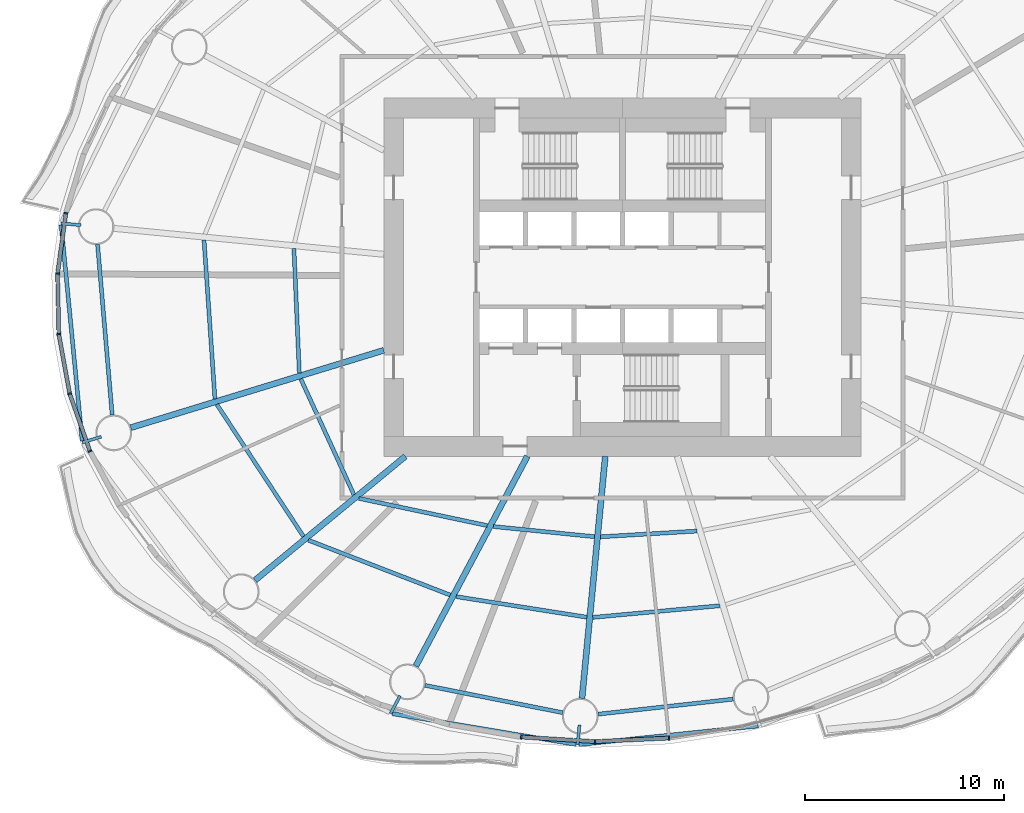
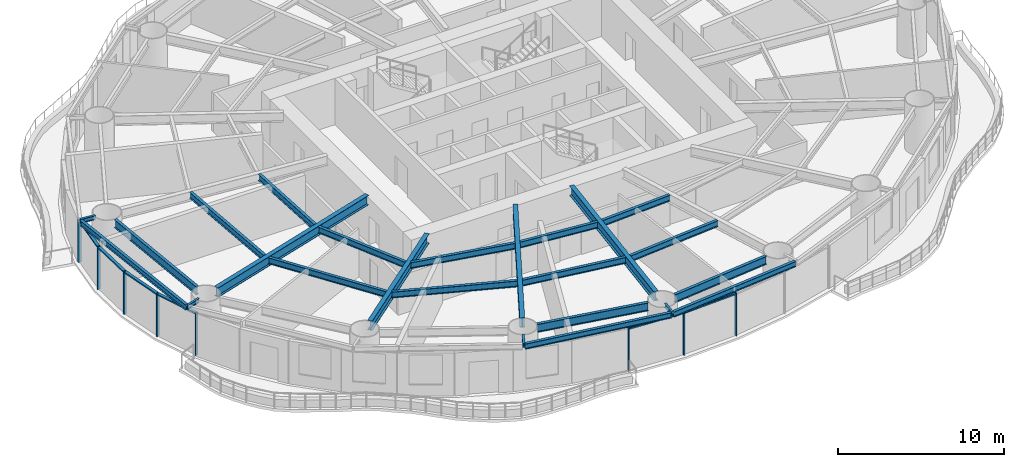
# One storey, part 2 of 16: 24 beams, 14 members, 7 elements without a shape of their own.
"""IFC4 building model written with IfcOpenShell, lengths in metres."""

from ifc_helpers import new_model, si_unit, direction, frame, origin, origin_2d, place, context, subcontext, project, spatial, rectangle, i_section, extrude, material, material_profile, profile_set, type_object, element, aggregate, save


model = new_model("IFC4")

# Units and contexts
model_context = context("Model", 3, precision=1e-05, world=origin(), true_north=direction((0.0, 1.0)))
body_context = subcontext(model_context, "Body", "Model", "MODEL_VIEW")
ifc_project = project(units=[si_unit("LENGTHUNIT", "METRE"), si_unit("AREAUNIT", "SQUARE_METRE"), si_unit("VOLUMEUNIT", "CUBIC_METRE"), si_unit("PLANEANGLEUNIT", "RADIAN"), si_unit("MASSUNIT", "GRAM", prefix="KILO")], contexts=[model_context])

# Site, building, storey
site_placement = place(None, origin())
site = spatial("IfcSite", under=ifc_project, at=site_placement, CompositionType="ELEMENT")
building_placement = place(site_placement, origin())
building = spatial("IfcBuilding", under=site, at=building_placement, Name="Vermilion Reach Broadcast Tower", CompositionType="ELEMENT")
storey_placement = place(building_placement, frame((0.0, 0.0, 58.199951171875)))
storey = spatial("IfcBuildingStorey", under=building, at=storey_placement, Name="L11", CompositionType="ELEMENT", Elevation=58.199951171875)

# Beams
ifc_material_1 = material(Name="Steel S355J2", Category="steel")
ifc_material_profile_1 = material_profile(ifc_material_1, i_section(OverallWidth=0.199951171875, OverallDepth=0.39990234375, WebThickness=0.008056640625, FlangeThickness=0.012939453125, at=origin_2d()), Name="S355J2 HN 400x200x8x13")
ifc_profile_set_1 = profile_set([ifc_material_profile_1], Name="Steel S355J2")
beam_type_1 = type_object("IfcBeamType", Name="EB1 HN 400x200x8x13", PredefinedType="BEAM", material=ifc_profile_set_1)
beam_1_placement = place(storey_placement, frame((-34.21826171875, 2.63671875, 3.35009765625), z_axis=(0.096862266067, -0.995297795342, 0.0), x_axis=(0.995297795342, 0.096862266067, 0.0)))
element("IfcBeam", 1, at=beam_1_placement, inside=storey, type_object=beam_type_1, Name="Edge beam EB1-08", PredefinedType="BEAM", context=body_context, shape_type="SweptSolid", body=[
    extrude(i_section(OverallWidth=0.199951171875, OverallDepth=0.39990234375, WebThickness=0.008056640625, FlangeThickness=0.012939453125, at=origin_2d()), origin(), (0.0, 0.0, 1.0), 10.918701171875),
])
beam_2_placement = place(storey_placement, frame((-17.57470703125, -21.937744140625, 3.35009765625), z_axis=(0.986264056428, -0.165176302772, 0.0), x_axis=(0.165176302772, 0.986264056428, 0.0)))
element("IfcBeam", 2, at=beam_2_placement, inside=storey, type_object=beam_type_1, Name="Edge beam EB1-11", PredefinedType="BEAM", context=body_context, shape_type="SweptSolid", body=[
    extrude(i_section(OverallWidth=0.199951171875, OverallDepth=0.39990234375, WebThickness=0.008056640625, FlangeThickness=0.012939453125, at=origin_2d()), origin(), (0.0, 0.0, 1.0), 9.370849609375),
])
beam_3_placement = place(storey_placement, frame((-8.182373046875, -23.489990234375, 3.35009765625), z_axis=(0.994653842514, 0.103265355142, 0.0), x_axis=(-0.103265355142, 0.994653842514, 0.0)))
element("IfcBeam", 3, at=beam_3_placement, inside=storey, type_object=beam_type_1, Name="Edge beam EB1-12", PredefinedType="BEAM", context=body_context, shape_type="SweptSolid", body=[
    extrude(i_section(OverallWidth=0.199951171875, OverallDepth=0.39990234375, WebThickness=0.008056640625, FlangeThickness=0.012939453125, at=origin_2d()), origin(), (0.0, 0.0, 1.0), 9.052490234375),
])
ifc_material_2 = material(Name="Steel S355J2", Category="steel")
ifc_material_profile_2 = material_profile(ifc_material_2, i_section(OverallWidth=0.300048828125, OverallDepth=0.699951171875, WebThickness=0.012939453125, FlangeThickness=0.02392578125, at=origin_2d()), Name="S355J2 HN 700x300x13x24")
ifc_profile_set_2 = profile_set([ifc_material_profile_2], Name="Steel S355J2")
beam_type_2 = type_object("IfcBeamType", Name="G1 HN 700x300x13x24", PredefinedType="BEAM", material=ifc_profile_set_2)
beam_4_placement = place(storey_placement, frame((-18.0, -3.671142578125, 3.199951171875), z_axis=(-0.956255735186, -0.292531996409, 0.0), x_axis=(0.292531996409, -0.956255735186, 0.0)))
element("IfcBeam", 4, at=beam_4_placement, inside=storey, type_object=beam_type_2, Name="Girder G1-09", PredefinedType="BEAM", context=body_context, shape_type="SweptSolid", body=[
    extrude(i_section(OverallWidth=0.300048828125, OverallDepth=0.699951171875, WebThickness=0.012939453125, FlangeThickness=0.02392578125, at=origin_2d()), origin(), (0.0, 0.0, 1.0), 13.29638671875),
])
beam_5_placement = place(storey_placement, frame((-16.9140625, -9.0, 3.199951171875), z_axis=(-0.771514256373, -0.636212034005, 0.0), x_axis=(0.636212034005, -0.771514256373, 0.0)))
element("IfcBeam", 5, at=beam_5_placement, inside=storey, type_object=beam_type_2, Name="Girder G1-10", PredefinedType="BEAM", context=body_context, shape_type="SweptSolid", body=[
    extrude(i_section(OverallWidth=0.300048828125, OverallDepth=0.699951171875, WebThickness=0.012939453125, FlangeThickness=0.02392578125, at=origin_2d()), origin(), (0.0, 0.0, 1.0), 9.796142578125),
])
beam_6_placement = place(storey_placement, frame((-10.783447265625, -9.0, 3.199951171875), z_axis=(-0.469312182262, -0.883032318537, 0.0), x_axis=(0.883032318537, -0.469312182262, 0.0)))
element("IfcBeam", 6, at=beam_6_placement, inside=storey, type_object=beam_type_2, Name="Girder G1-11", PredefinedType="BEAM", context=body_context, shape_type="SweptSolid", body=[
    extrude(i_section(OverallWidth=0.300048828125, OverallDepth=0.699951171875, WebThickness=0.012939453125, FlangeThickness=0.02392578125, at=origin_2d()), origin(), (0.0, 0.0, 1.0), 11.94091796875),
])
beam_7_placement = place(storey_placement, frame((-6.864990234375, -9.0, 3.199951171875), z_axis=(-0.09566673912, -0.995413419151, 0.0), x_axis=(0.995413419151, -0.09566673912, 0.0)))
element("IfcBeam", 7, at=beam_7_placement, inside=storey, type_object=beam_type_2, Name="Girder G1-12", PredefinedType="BEAM", context=body_context, shape_type="SweptSolid", body=[
    extrude(i_section(OverallWidth=0.300048828125, OverallDepth=0.699951171875, WebThickness=0.012939453125, FlangeThickness=0.02392578125, at=origin_2d()), origin(), (0.0, 0.0, 1.0), 12.22412109375),
])
ifc_material_3 = material(Name="Steel S355J2", Category="steel")
ifc_material_profile_3 = material_profile(ifc_material_3, i_section(OverallWidth=0.14990234375, OverallDepth=0.300048828125, WebThickness=0.006591796875, FlangeThickness=0.009033203125, at=origin_2d()), Name="S355J2 HN 300x150x6.5x9")
ifc_profile_set_3 = profile_set([ifc_material_profile_3], Name="Steel S355J2")
beam_type_3 = type_object("IfcBeamType", Name="GS1 HN 300x150x6.5x9", PredefinedType="BEAM", material=ifc_profile_set_3)
for number, where, z_axis, x_axis, name in (
    (8, (-33.230224609375, 2.6171875, 3.400146484375), (-0.995409476419, 0.095707754417, 0.0), (-0.095707754417, -0.995409476419, 0.0), "Cantilever stub GS1-08"),
    (9, (-32.197021484375, -8.01416015625, 3.400146484375), (-0.95627383467, -0.292472824594, 0.0), (0.292472824594, -0.95627383467, 0.0), "Cantilever stub GS1-09"),
    (10, (-17.183349609375, -21.041748046875, 3.400146484375), (-0.469244476458, -0.883068299348, 0.0), (0.883068299348, -0.469244476458, 0.0), "Cantilever stub GS1-11"),
    (11, (-8.162841796875, -22.502685546875, 3.400146484375), (-0.095707754417, -0.995409476419, 0.0), (0.995409476419, -0.095707754417, 0.0), "Cantilever stub GS1-12"),
):
    element("IfcBeam", number, at=place(storey_placement, frame(where, z_axis=z_axis, x_axis=x_axis)), inside=storey, type_object=beam_type_3, Name=name, PredefinedType="BEAM", context=body_context, shape_type="SweptSolid", body=[
        extrude(i_section(OverallWidth=0.14990234375, OverallDepth=0.300048828125, WebThickness=0.006591796875, FlangeThickness=0.009033203125, at=origin_2d()), origin(), (0.0, 0.0, 1.0), 1.0),
    ])
ifc_material_4 = material(Name="Steel S355J2", Category="steel")
ifc_material_profile_4 = material_profile(ifc_material_4, i_section(OverallWidth=0.199951171875, OverallDepth=0.60009765625, WebThickness=0.010986328125, FlangeThickness=0.01708984375, at=origin_2d()), Name="S355J2 HN 600x200x11x17")
ifc_profile_set_4 = profile_set([ifc_material_profile_4], Name="Steel S355J2")
beam_type_4 = type_object("IfcBeamType", Name="RB1 HN 600x200x11x17", PredefinedType="BEAM", material=ifc_profile_set_4)
beam_8_placement = place(storey_placement, frame((-32.38720703125, 1.646728515625, 3.25), z_axis=(0.085395508608, -0.996347131832, 0.0), x_axis=(0.996347131832, 0.085395508608, 0.0)))
element("IfcBeam", 12, at=beam_8_placement, inside=storey, type_object=beam_type_4, Name="Ring beam RB1-08", PredefinedType="BEAM", context=body_context, shape_type="SweptSolid", body=[
    extrude(i_section(OverallWidth=0.199951171875, OverallDepth=0.60009765625, WebThickness=0.010986328125, FlangeThickness=0.01708984375, at=origin_2d()), origin(), (0.0, 0.0, 1.0), 8.60546875),
])
beam_9_placement = place(storey_placement, frame((-15.927001953125, -20.51416015625, 3.25), z_axis=(0.980857717995, -0.194725799651, 0.0), x_axis=(0.194725799651, 0.980857717995, 0.0)))
element("IfcBeam", 13, at=beam_9_placement, inside=storey, type_object=beam_type_4, Name="Ring beam RB1-11", PredefinedType="BEAM", context=body_context, shape_type="SweptSolid", body=[
    extrude(i_section(OverallWidth=0.199951171875, OverallDepth=0.60009765625, WebThickness=0.010986328125, FlangeThickness=0.01708984375, at=origin_2d()), origin(), (0.0, 0.0, 1.0), 7.05859375),
])
beam_10_placement = place(storey_placement, frame((-7.22607421875, -21.964111328125, 3.25), z_axis=(0.993851439324, 0.110721798009, 0.0), x_axis=(-0.110721798009, 0.993851439324, 0.0)))
element("IfcBeam", 14, at=beam_10_placement, inside=storey, type_object=beam_type_4, Name="Ring beam RB1-12", PredefinedType="BEAM", context=body_context, shape_type="SweptSolid", body=[
    extrude(i_section(OverallWidth=0.199951171875, OverallDepth=0.60009765625, WebThickness=0.010986328125, FlangeThickness=0.01708984375, at=origin_2d()), origin(), (0.0, 0.0, 1.0), 6.8310546875),
])
ifc_material_5 = material(Name="Steel S355J2", Category="steel")
ifc_material_profile_5 = material_profile(ifc_material_5, i_section(OverallWidth=0.199951171875, OverallDepth=0.449951171875, WebThickness=0.009033203125, FlangeThickness=0.013916015625, at=origin_2d()), Name="S355J2 HN 450x200x9x14")
ifc_profile_set_5 = profile_set([ifc_material_profile_5], Name="Steel S355J2")
beam_type_5 = type_object("IfcBeamType", Name="SB1 HN 450x200x9x14", PredefinedType="BEAM", material=ifc_profile_set_5)
beam_11_placement = place(storey_placement, frame((-22.51611328125, 1.436767578125, 3.324951171875), z_axis=(0.043361007512, -0.999059469215, 0.0), x_axis=(0.999059469215, 0.043361007512, 0.0)))
element("IfcBeam", 15, at=beam_11_placement, inside=storey, type_object=beam_type_5, Name="Secondary beam SB1-08-1", PredefinedType="BEAM", context=body_context, shape_type="SweptSolid", body=[
    extrude(i_section(OverallWidth=0.199951171875, OverallDepth=0.449951171875, WebThickness=0.009033203125, FlangeThickness=0.013916015625, at=origin_2d()), origin(), (0.0, 0.0, 1.0), 6.25537109375),
])
beam_12_placement = place(storey_placement, frame((-27.03515625, 1.87109375, 3.324951171875), z_axis=(0.068507801475, -0.997650580683, 0.0), x_axis=(0.997650580683, 0.068507801475, 0.0)))
element("IfcBeam", 16, at=beam_12_placement, inside=storey, type_object=beam_type_5, Name="Secondary beam SB1-08-2", PredefinedType="BEAM", context=body_context, shape_type="SweptSolid", body=[
    extrude(i_section(OverallWidth=0.199951171875, OverallDepth=0.449951171875, WebThickness=0.009033203125, FlangeThickness=0.013916015625, at=origin_2d()), origin(), (0.0, 0.0, 1.0), 8.00048828125),
])
beam_13_placement = place(storey_placement, frame((-22.175048828125, -5.105224609375, 3.324951171875), z_axis=(0.417211452529, -0.908809443106, 0.0), x_axis=(0.908809443106, 0.417211452529, 0.0)))
element("IfcBeam", 17, at=beam_13_placement, inside=storey, type_object=beam_type_5, Name="Secondary beam SB1-09-1", PredefinedType="BEAM", context=body_context, shape_type="SweptSolid", body=[
    extrude(i_section(OverallWidth=0.199951171875, OverallDepth=0.449951171875, WebThickness=0.009033203125, FlangeThickness=0.013916015625, at=origin_2d()), origin(), (0.0, 0.0, 1.0), 6.41650390625),
])
beam_14_placement = place(storey_placement, frame((-26.390625, -6.394775390625, 3.324951171875), z_axis=(0.548800909102, -0.835953086105, 0.0), x_axis=(0.835953086105, 0.548800909102, 0.0)))
element("IfcBeam", 18, at=beam_14_placement, inside=storey, type_object=beam_type_5, Name="Secondary beam SB1-09-2", PredefinedType="BEAM", context=body_context, shape_type="SweptSolid", body=[
    extrude(i_section(OverallWidth=0.199951171875, OverallDepth=0.449951171875, WebThickness=0.009033203125, FlangeThickness=0.013916015625, at=origin_2d()), origin(), (0.0, 0.0, 1.0), 7.935791015625),
])
beam_15_placement = place(storey_placement, frame((-19.24560546875, -11.1171875, 3.324951171875), z_axis=(0.978270372412, -0.207333254596, 0.0), x_axis=(0.207333254596, 0.978270372412, 0.0)))
element("IfcBeam", 19, at=beam_15_placement, inside=storey, type_object=beam_type_5, Name="Secondary beam SB1-10-1", PredefinedType="BEAM", context=body_context, shape_type="SweptSolid", body=[
    extrude(i_section(OverallWidth=0.199951171875, OverallDepth=0.449951171875, WebThickness=0.009033203125, FlangeThickness=0.013916015625, at=origin_2d()), origin(), (0.0, 0.0, 1.0), 6.584716796875),
])
beam_16_placement = place(storey_placement, frame((-21.7919921875, -13.217041015625, 3.324951171875), z_axis=(0.932680743753, -0.360702966765, 0.0), x_axis=(0.360702966765, 0.932680743753, 0.0)))
element("IfcBeam", 20, at=beam_16_placement, inside=storey, type_object=beam_type_5, Name="Secondary beam SB1-10-2", PredefinedType="BEAM", context=body_context, shape_type="SweptSolid", body=[
    extrude(i_section(OverallWidth=0.199951171875, OverallDepth=0.449951171875, WebThickness=0.009033203125, FlangeThickness=0.013916015625, at=origin_2d()), origin(), (0.0, 0.0, 1.0), 7.646240234375),
])
beam_17_placement = place(storey_placement, frame((-12.490234375, -12.531005859375, 3.324951171875), z_axis=(0.995010199331, -0.099773259079, 0.0), x_axis=(0.099773259079, 0.995010199331, 0.0)))
element("IfcBeam", 21, at=beam_17_placement, inside=storey, type_object=beam_type_5, Name="Secondary beam SB1-11-1", PredefinedType="BEAM", context=body_context, shape_type="SweptSolid", body=[
    extrude(i_section(OverallWidth=0.199951171875, OverallDepth=0.449951171875, WebThickness=0.009033203125, FlangeThickness=0.013916015625, at=origin_2d()), origin(), (0.0, 0.0, 1.0), 5.111572265625),
])
beam_18_placement = place(storey_placement, frame((-14.36279296875, -16.05419921875, 3.324951171875), z_axis=(0.987829548379, -0.155540294938, 0.0), x_axis=(0.155540294938, 0.987829548379, 0.0)))
element("IfcBeam", 22, at=beam_18_placement, inside=storey, type_object=beam_type_5, Name="Secondary beam SB1-11-2", PredefinedType="BEAM", context=body_context, shape_type="SweptSolid", body=[
    extrude(i_section(OverallWidth=0.199951171875, OverallDepth=0.449951171875, WebThickness=0.009033203125, FlangeThickness=0.013916015625, at=origin_2d()), origin(), (0.0, 0.0, 1.0), 6.650634765625),
])
beam_19_placement = place(storey_placement, frame((-7.103271484375, -13.046875, 3.324951171875), z_axis=(0.99823410974, 0.059402543307, 0.0), x_axis=(-0.059402543307, 0.99823410974, 0.0)))
element("IfcBeam", 23, at=beam_19_placement, inside=storey, type_object=beam_type_5, Name="Secondary beam SB1-12-1", PredefinedType="BEAM", context=body_context, shape_type="SweptSolid", body=[
    extrude(i_section(OverallWidth=0.199951171875, OverallDepth=0.449951171875, WebThickness=0.009033203125, FlangeThickness=0.013916015625, at=origin_2d()), origin(), (0.0, 0.0, 1.0), 4.85791015625),
])
beam_20_placement = place(storey_placement, frame((-7.49267578125, -17.09814453125, 3.324951171875), z_axis=(0.995818616382, 0.091352521952, 0.0), x_axis=(-0.091352521952, 0.995818616382, 0.0)))
element("IfcBeam", 24, at=beam_20_placement, inside=storey, type_object=beam_type_5, Name="Secondary beam SB1-12-2", PredefinedType="BEAM", context=body_context, shape_type="SweptSolid", body=[
    extrude(i_section(OverallWidth=0.199951171875, OverallDepth=0.449951171875, WebThickness=0.009033203125, FlangeThickness=0.013916015625, at=origin_2d()), origin(), (0.0, 0.0, 1.0), 6.4140625),
])

# Curtain wall, member
ifc_material_6 = material(Name="Low-e laminated clear glass in aluminium frame", Category="aluminium")
curtain_wall_type = type_object("IfcCurtainWallType", Name="Slot curtain wall", PredefinedType="NOTDEFINED", material=ifc_material_6)
placement = place(storey_placement, origin())
curtain_wall_1 = element("IfcCurtainWall", 25, at=placement, inside=storey, type_object=curtain_wall_type, Name="Slot curtain wall L11 22", PredefinedType="NOTDEFINED")
ifc_material_7 = material(Name="Anodised aluminium", Category="aluminium")
ifc_material_profile_6 = material_profile(ifc_material_7, rectangle(XDim=0.199951171875, YDim=0.080078125, at=origin_2d()), Name="Slot mullion 80 x 200")
ifc_profile_set_6 = profile_set([ifc_material_profile_6], Name="Anodised aluminium")
member_type_1 = type_object("IfcMemberType", Name="Slot mullion 80 x 200", PredefinedType="MULLION", material=ifc_profile_set_6)
member_1_placement = place(storey_placement, frame((-33.977783203125, 3.21875, 0.0), z_axis=(0.0, 0.0, 1.0), x_axis=(0.97699560927, -0.213259418239, 0.0)))
member_1 = element("IfcMember", 26, at=member_1_placement, type_object=member_type_1, Name="Slot mullion L11 22", PredefinedType="MULLION", context=body_context, shape_type="SweptSolid", body=[
    extrude(rectangle(XDim=0.199951171875, YDim=0.080078125, at=origin_2d()), origin(), (0.0, 0.0, 1.0), 3.150146484375),
])

curtain_wall_2 = element("IfcCurtainWall", 27, at=placement, inside=storey, type_object=curtain_wall_type, Name="Slot curtain wall L11 23", PredefinedType="NOTDEFINED")
member_2_placement = place(storey_placement, frame((-34.3984375, 0.181396484375, 0.0), z_axis=(0.0, 0.0, 1.0), x_axis=(0.998292344192, -0.058415713014, 0.0)))
member_2 = element("IfcMember", 28, at=member_2_placement, type_object=member_type_1, Name="Slot mullion L11 23", PredefinedType="MULLION", context=body_context, shape_type="SweptSolid", body=[
    extrude(rectangle(XDim=0.199951171875, YDim=0.080078125, at=origin_2d()), origin(), (0.0, 0.0, 1.0), 3.150146484375),
])

curtain_wall_3 = element("IfcCurtainWall", 29, at=placement, inside=storey, type_object=curtain_wall_type, Name="Slot curtain wall L11 24", PredefinedType="NOTDEFINED")
member_3_placement = place(storey_placement, frame((-34.33544921875, -2.858154296875, 0.0), z_axis=(0.0, 0.0, 1.0), x_axis=(0.994951015834, 0.100361726225, 0.0)))
member_3 = element("IfcMember", 30, at=member_3_placement, type_object=member_type_1, Name="Slot mullion L11 24", PredefinedType="MULLION", context=body_context, shape_type="SweptSolid", body=[
    extrude(rectangle(XDim=0.199951171875, YDim=0.080078125, at=origin_2d()), origin(), (0.0, 0.0, 1.0), 3.150146484375),
])

# Curtain wall, members
curtain_wall_4 = element("IfcCurtainWall", 31, at=placement, inside=storey, type_object=curtain_wall_type, Name="Slot curtain wall L11 25", PredefinedType="NOTDEFINED")
member_4_placement = place(storey_placement, frame((-33.7900390625, -5.84912109375, 0.0), z_axis=(0.0, 0.0, 1.0), x_axis=(0.966515591706, 0.256607893466, 0.0)))
member_4 = element("IfcMember", 32, at=member_4_placement, type_object=member_type_1, Name="Slot mullion L11 25", PredefinedType="MULLION", context=body_context, shape_type="SweptSolid", body=[
    extrude(rectangle(XDim=0.199951171875, YDim=0.080078125, at=origin_2d()), origin(), (0.0, 0.0, 1.0), 3.150146484375),
])
member_5_placement = place(storey_placement, frame((-32.771240234375, -8.741455078125, 0.0), z_axis=(0.0, 0.0, 1.0), x_axis=(0.914724063744, 0.40407906059, 0.0)))
member_5 = element("IfcMember", 33, at=member_5_placement, type_object=member_type_1, Name="Slot mullion L11 26", PredefinedType="MULLION", context=body_context, shape_type="SweptSolid", body=[
    extrude(rectangle(XDim=0.199951171875, YDim=0.080078125, at=origin_2d()), origin(), (0.0, 0.0, 1.0), 3.150146484375),
])

# Curtain wall, member
curtain_wall_5 = element("IfcCurtainWall", 34, at=placement, inside=storey, type_object=curtain_wall_type, Name="Slot curtain wall L11 34", PredefinedType="NOTDEFINED")
member_6_placement = place(storey_placement, frame((-11.09033203125, -23.114013671875, 0.0), z_axis=(0.0, 0.0, 1.0), x_axis=(0.115647924521, 0.993290268529, 0.0)))
member_6 = element("IfcMember", 35, at=member_6_placement, type_object=member_type_1, Name="Slot mullion L11 34", PredefinedType="MULLION", context=body_context, shape_type="SweptSolid", body=[
    extrude(rectangle(XDim=0.199951171875, YDim=0.080078125, at=origin_2d()), origin(), (0.0, 0.0, 1.0), 3.150146484375),
])

curtain_wall_6 = element("IfcCurtainWall", 36, at=placement, inside=storey, type_object=curtain_wall_type, Name="Slot curtain wall L11 35", PredefinedType="NOTDEFINED")
member_7_placement = place(storey_placement, frame((-7.388916015625, -23.340087890625, 0.0), z_axis=(0.0, 0.0, 1.0), x_axis=(0.007084852172, 0.99997490212, 0.0)))
member_7 = element("IfcMember", 37, at=member_7_placement, type_object=member_type_1, Name="Slot mullion L11 35", PredefinedType="MULLION", context=body_context, shape_type="SweptSolid", body=[
    extrude(rectangle(XDim=0.199951171875, YDim=0.080078125, at=origin_2d()), origin(), (0.0, 0.0, 1.0), 3.150146484375),
])

curtain_wall_7 = element("IfcCurtainWall", 38, at=placement, inside=storey, type_object=curtain_wall_type, Name="Slot curtain wall L11 36", PredefinedType="NOTDEFINED")
member_8_placement = place(storey_placement, frame((-3.663330078125, -23.16552734375, 0.0), z_axis=(0.0, 0.0, 1.0), x_axis=(-0.100361698372, 0.994951018644, 0.0)))
member_8 = element("IfcMember", 39, at=member_8_placement, type_object=member_type_1, Name="Slot mullion L11 36", PredefinedType="MULLION", context=body_context, shape_type="SweptSolid", body=[
    extrude(rectangle(XDim=0.199951171875, YDim=0.080078125, at=origin_2d()), origin(), (0.0, 0.0, 1.0), 3.150146484375),
])
aggregate(curtain_wall_7, [member_8])

# Member
ifc_material_8 = material(Name="Anodised aluminium", Category="aluminium")
ifc_material_profile_7 = material_profile(ifc_material_8, rectangle(XDim=0.199951171875, YDim=0.10009765625, at=origin_2d()), Name="Slot transom 200 x 100")
ifc_profile_set_7 = profile_set([ifc_material_profile_7], Name="Anodised aluminium")
member_type_2 = type_object("IfcMemberType", Name="Slot transom 200 x 100", PredefinedType="USERDEFINED", material=ifc_profile_set_7)
member_9_placement = place(storey_placement, frame((-33.983154296875, 3.17919921875, 3.10009765625), z_axis=(-0.137174036644, -0.99054696187, 0.0), x_axis=(0.99054696187, -0.137174036644, 0.0)))
member_9 = element("IfcMember", 40, at=member_9_placement, type_object=member_type_2, Name="Slot transom L11 22.1", ObjectType="TRANSOM", PredefinedType="USERDEFINED", context=body_context, shape_type="SweptSolid", body=[
    extrude(rectangle(XDim=0.199951171875, YDim=0.10009765625, at=origin_2d()), origin(), (0.0, 0.0, 1.0), 2.986572265625),
])

aggregate(curtain_wall_1, [member_1, member_9])

member_10_placement = place(storey_placement, frame((-34.3974609375, 0.141357421875, 3.10009765625), z_axis=(0.020701716699, -0.9997856965, 0.0), x_axis=(0.9997856965, 0.020701716699, 0.0)))
member_10 = element("IfcMember", 41, at=member_10_placement, type_object=member_type_2, Name="Slot transom L11 23.1", ObjectType="TRANSOM", PredefinedType="USERDEFINED", context=body_context, shape_type="SweptSolid", body=[
    extrude(rectangle(XDim=0.199951171875, YDim=0.10009765625, at=origin_2d()), origin(), (0.0, 0.0, 1.0), 2.960205078125),
])

aggregate(curtain_wall_2, [member_2, member_10])

member_11_placement = place(storey_placement, frame((-34.328369140625, -2.8974609375, 3.10009765625), z_axis=(0.179371657869, -0.983781382398, 0.0), x_axis=(0.983781382398, 0.179371657869, 0.0)))
member_11 = element("IfcMember", 42, at=member_11_placement, type_object=member_type_2, Name="Slot transom L11 24.1", ObjectType="TRANSOM", PredefinedType="USERDEFINED", context=body_context, shape_type="SweptSolid", body=[
    extrude(rectangle(XDim=0.199951171875, YDim=0.10009765625, at=origin_2d()), origin(), (0.0, 0.0, 1.0), 2.96044921875),
])

aggregate(curtain_wall_3, [member_3, member_11])

member_12_placement = place(storey_placement, frame((-33.77685546875, -5.886962890625, 3.10009765625), z_axis=(0.332247025755, -0.943192405545, 0.0), x_axis=(0.943192405545, 0.332247025755, 0.0)))
member_12 = element("IfcMember", 43, at=member_12_placement, type_object=member_type_2, Name="Slot transom L11 25.1", ObjectType="TRANSOM", PredefinedType="USERDEFINED", context=body_context, shape_type="SweptSolid", body=[
    extrude(rectangle(XDim=0.199951171875, YDim=0.10009765625, at=origin_2d()), origin(), (0.0, 0.0, 1.0), 2.986328125),
])

aggregate(curtain_wall_4, [member_4, member_5, member_12])

member_13_placement = place(storey_placement, frame((-11.05029296875, -23.116455078125, 3.10009765625), z_axis=(0.998140068725, -0.060962309712, 0.0), x_axis=(0.060962309712, 0.998140068725, 0.0)))
member_13 = element("IfcMember", 44, at=member_13_placement, type_object=member_type_2, Name="Slot transom L11 34.1", ObjectType="TRANSOM", PredefinedType="USERDEFINED", context=body_context, shape_type="SweptSolid", body=[
    extrude(rectangle(XDim=0.199951171875, YDim=0.10009765625, at=origin_2d()), origin(), (0.0, 0.0, 1.0), 3.62841796875),
])

aggregate(curtain_wall_5, [member_6, member_13])

member_14_placement = place(storey_placement, frame((-7.348876953125, -23.33837890625, 3.10009765625), z_axis=(0.99889999449, 0.046891374549, 0.0), x_axis=(-0.046891374549, 0.99889999449, 0.0)))
member_14 = element("IfcMember", 45, at=member_14_placement, type_object=member_type_2, Name="Slot transom L11 35.1", ObjectType="TRANSOM", PredefinedType="USERDEFINED", context=body_context, shape_type="SweptSolid", body=[
    extrude(rectangle(XDim=0.199951171875, YDim=0.10009765625, at=origin_2d()), origin(), (0.0, 0.0, 1.0), 3.649658203125),
])

aggregate(curtain_wall_6, [member_7, member_14])

save(model, "model.ifc")
